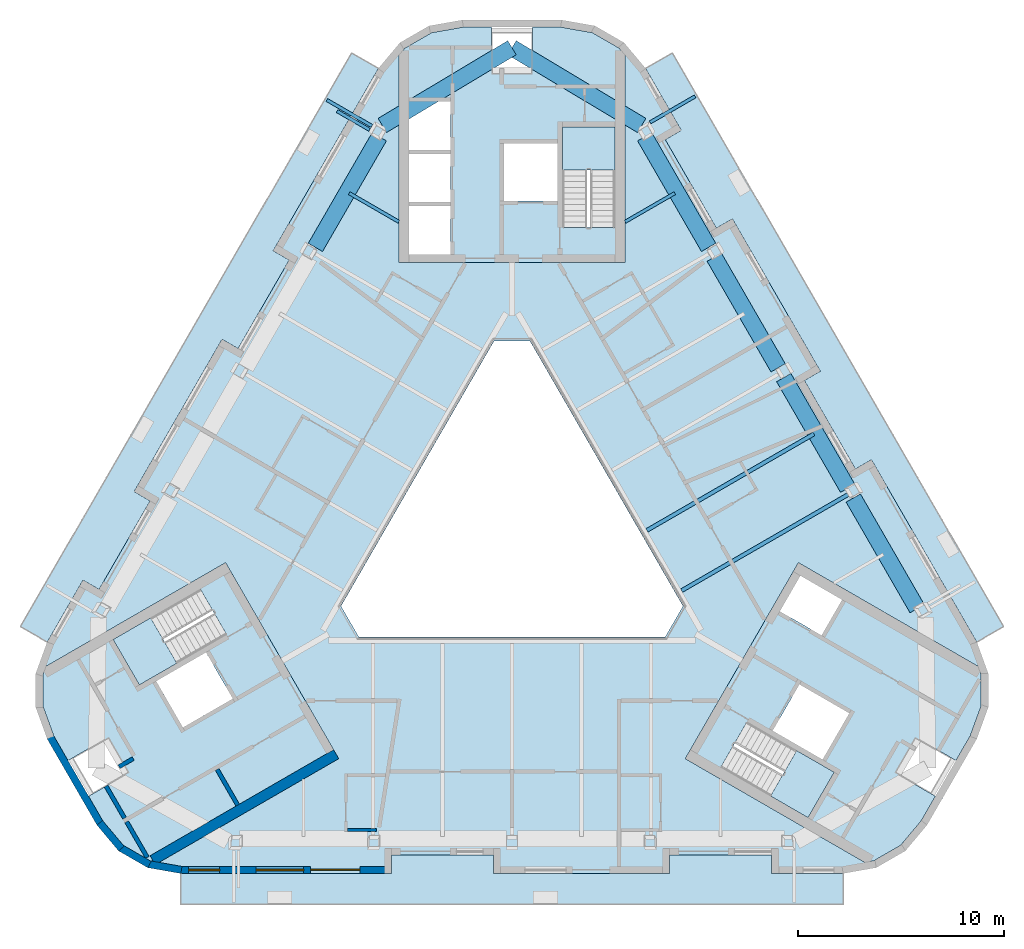
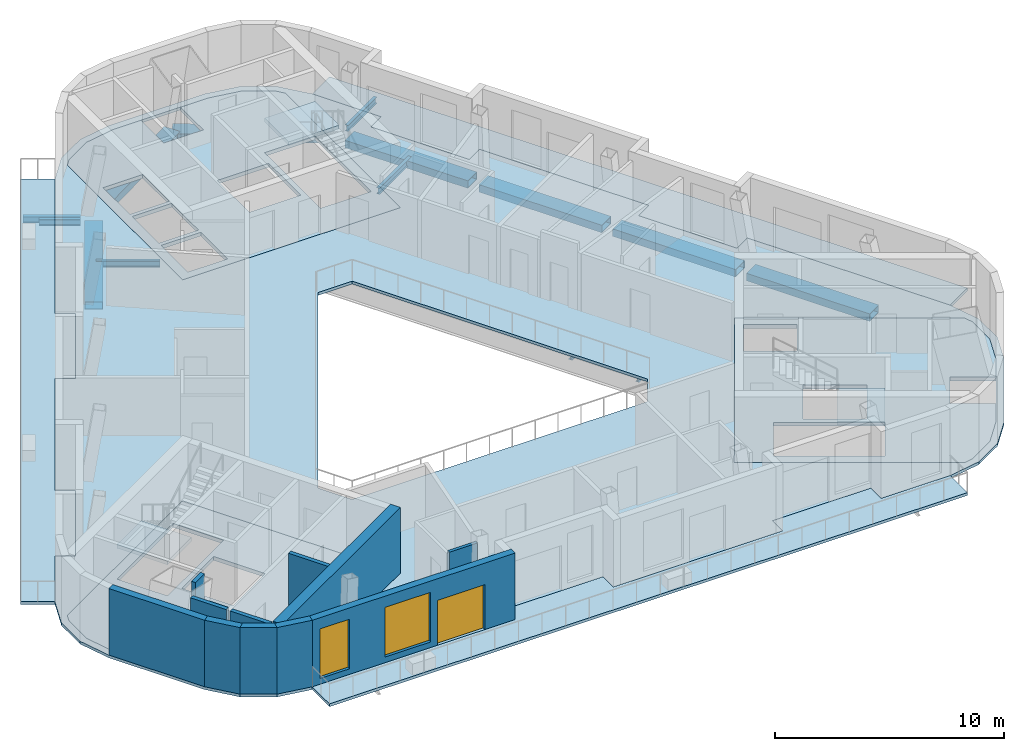
# One storey, part 2 of 11: 14 beams, 11 walls, 10 slabs, 2 windows, 1 door, 3 openings, 3 elements without a shape of their own.
"""IFC4 building model written with IfcOpenShell, lengths in metres."""

from ifc_helpers import new_model, si_unit, direction, frame, frame_2d, origin, origin_2d, place, context, subcontext, project, spatial, polyline, rectangle, hollow_rectangle, i_section, outline, extrude, material, layer, layer_set, material_profile, profile_set, type_object, element, fill, aggregate, save


model = new_model("IFC4")

# Units and contexts
model_context = context("Model", 3, precision=1e-05, world=origin(), true_north=direction((0.0, 1.0)))
body_context = subcontext(model_context, "Body", "Model", "MODEL_VIEW")
ifc_project = project(units=[si_unit("LENGTHUNIT", "METRE"), si_unit("AREAUNIT", "SQUARE_METRE"), si_unit("VOLUMEUNIT", "CUBIC_METRE"), si_unit("PLANEANGLEUNIT", "RADIAN"), si_unit("MASSUNIT", "GRAM", prefix="KILO")], contexts=[model_context])

# Site, building, storey
site_placement = place(None, origin())
site = spatial("IfcSite", under=ifc_project, at=site_placement, CompositionType="ELEMENT")
building_placement = place(site_placement, origin())
building = spatial("IfcBuilding", under=site, at=building_placement, Name="Apuvela Tower Hotel", CompositionType="ELEMENT")
storey_placement = place(building_placement, frame((0.0, 0.0, 309.60009765625)))
storey = spatial("IfcBuildingStorey", under=building, at=storey_placement, Name="L77", CompositionType="ELEMENT", Elevation=309.60009765625)

# Beams
ifc_material_1 = material(Name="Steel S355", Category="steel")
ifc_material_profile_1 = material_profile(ifc_material_1, i_section(OverallWidth=0.159912109375, OverallDepth=0.330078125, WebThickness=0.007568359375, FlangeThickness=0.011474609375, at=origin_2d()), Name="IPE 330")
ifc_profile_set_1 = profile_set([ifc_material_profile_1], Name="Steel S355")
beam_type_1 = type_object("IfcBeamType", Name="ENV-BALCONY-BEAM-IPE330", PredefinedType="BEAM", material=ifc_profile_set_1)
beam_1_placement = place(storey_placement, frame((6.711181640625, 19.714599609375, -0.315185546875), z_axis=(0.86602137294, 0.500006981563, 0.0), x_axis=(-0.500006981563, 0.86602137294, 0.0)))
element("IfcBeam", 1, at=beam_1_placement, inside=storey, type_object=beam_type_1, Name="Balcony cantilever beam NE3 L77", PredefinedType="BEAM", context=body_context, shape_type="SweptSolid", body=[
    extrude(i_section(OverallWidth=0.159912109375, OverallDepth=0.330078125, WebThickness=0.007568359375, FlangeThickness=0.011474609375, at=origin_2d()), origin(), (0.0, 0.0, 1.0), 2.525390625),
])
beam_2_placement = place(storey_placement, frame((-6.811279296875, 19.54150390625, -0.315185546875), z_axis=(-0.866039067339, 0.499976333282, 0.0), x_axis=(-0.499976333282, -0.866039067339, 0.0)))
element("IfcBeam", 2, at=beam_2_placement, inside=storey, type_object=beam_type_1, Name="Balcony cantilever beam NW1 L77", PredefinedType="BEAM", context=body_context, shape_type="SweptSolid", body=[
    extrude(i_section(OverallWidth=0.159912109375, OverallDepth=0.330078125, WebThickness=0.007568359375, FlangeThickness=0.011474609375, at=origin_2d()), origin(), (0.0, 0.0, 1.0), 2.52490234375),
])
beam_3_placement = place(storey_placement, frame((-6.92138671875, 19.35107421875, -0.315185546875), z_axis=(-0.866036312054, 0.499981105847, 0.0), x_axis=(-0.499981105847, -0.866036312054, 0.0)))
element("IfcBeam", 3, at=beam_3_placement, inside=storey, type_object=beam_type_1, Name="Balcony cantilever beam NW2 L77", PredefinedType="BEAM", context=body_context, shape_type="SweptSolid", body=[
    extrude(i_section(OverallWidth=0.159912109375, OverallDepth=0.330078125, WebThickness=0.007568359375, FlangeThickness=0.011474609375, at=origin_2d()), origin(), (0.0, 0.0, 1.0), 1.82470703125),
])
ifc_material_profile_2 = material_profile(ifc_material_1, i_section(OverallWidth=0.159912109375, OverallDepth=0.330078125, WebThickness=0.007568359375, FlangeThickness=0.011474609375, at=origin_2d()), Name="IPE 330")
ifc_profile_set_2 = profile_set([ifc_material_profile_2], Name="Steel S355")
beam_type_2 = type_object("IfcBeamType", Name="STR-B floor beam IPE 330", PredefinedType="BEAM", material=ifc_profile_set_2)
for number, where, z_axis, x_axis, name in (
    (4, (7.91650390625, 16.27734375, -0.315185546875), (-0.86601074026, -0.500025397109, 0.0), (0.500025397109, -0.86601074026, 0.0), "Floor beam B1 NE8"),
    (5, (-7.91650390625, 16.27734375, -0.315185546875), (0.86601074026, -0.500025397109, 0.0), (0.500025397109, 0.86601074026, 0.0), "Floor beam B1 NW2"),
):
    element("IfcBeam", number, at=place(storey_placement, frame(where, z_axis=z_axis, x_axis=x_axis)), inside=storey, type_object=beam_type_2, Name=name, PredefinedType="BEAM", context=body_context, shape_type="SweptSolid", body=[
        extrude(i_section(OverallWidth=0.159912109375, OverallDepth=0.330078125, WebThickness=0.007568359375, FlangeThickness=0.011474609375, at=origin_2d()), origin(), (0.0, 0.0, 1.0), 2.790283203125),
    ])
ifc_material_profile_3 = material_profile(ifc_material_1, i_section(OverallWidth=0.18994140625, OverallDepth=0.449951171875, WebThickness=0.009521484375, FlangeThickness=0.0146484375, at=origin_2d()), Name="IPE 450")
ifc_profile_set_3 = profile_set([ifc_material_profile_3], Name="Steel S355")
beam_type_3 = type_object("IfcBeamType", Name="STR-B floor beam IPE 450", PredefinedType="BEAM", material=ifc_profile_set_3)
beam_4_placement = place(storey_placement, frame((16.473388671875, 1.706298828125, -0.375), z_axis=(-0.866025092416, -0.500000539305, 0.0), x_axis=(0.500000539305, -0.866025092416, 0.0)))
element("IfcBeam", 6, at=beam_4_placement, inside=storey, type_object=beam_type_3, Name="Floor beam B9 NE3", PredefinedType="BEAM", context=body_context, shape_type="SweptSolid", body=[
    extrude(i_section(OverallWidth=0.18994140625, OverallDepth=0.449951171875, WebThickness=0.009521484375, FlangeThickness=0.0146484375, at=origin_2d()), origin(), (0.0, 0.0, 1.0), 9.49951171875),
])
beam_5_placement = place(storey_placement, frame((14.67529296875, 4.570556640625, -0.375), z_axis=(-0.866021214318, -0.500007256298, 0.0), x_axis=(0.500007256298, -0.866021214318, 0.0)))
element("IfcBeam", 7, at=beam_5_placement, inside=storey, type_object=beam_type_3, Name="Floor beam B9 NE4", PredefinedType="BEAM", context=body_context, shape_type="SweptSolid", body=[
    extrude(i_section(OverallWidth=0.18994140625, OverallDepth=0.449951171875, WebThickness=0.009521484375, FlangeThickness=0.0146484375, at=origin_2d()), origin(), (0.0, 0.0, 1.0), 9.374267578125),
])
ifc_material_2 = material(Name="Steel S460", Category="steel")
ifc_material_profile_4 = material_profile(ifc_material_2, hollow_rectangle(XDim=0.800048828125, YDim=0.39990234375, WallThickness=0.02490234375, at=origin_2d()), Name="BOX 800x400x25")
ifc_profile_set_4 = profile_set([ifc_material_profile_4], Name="Steel S460")
beam_type_4 = type_object("IfcBeamType", Name="STR-RB perimeter ring beam BOX 800x400x25", PredefinedType="SPANDREL", material=ifc_profile_set_4)
beam_6_placement = place(storey_placement, frame((19.693603515625, -3.92138671875, -0.400146484375), z_axis=(-0.499995880841, 0.866027781969, 0.0), x_axis=(-0.866027781969, -0.499995880841, 0.0)))
element("IfcBeam", 8, at=beam_6_placement, inside=storey, type_object=beam_type_4, Name="Ring beam RB1 NE1", PredefinedType="SPANDREL", context=body_context, shape_type="SweptSolid", body=[
    extrude(hollow_rectangle(XDim=0.800048828125, YDim=0.39990234375, WallThickness=0.02490234375, at=origin_2d()), origin(), (0.0, 0.0, 1.0), 6.208984375),
])
beam_7_placement = place(storey_placement, frame((16.314208984375, 1.93212890625, -0.400146484375), z_axis=(-0.500012907384, 0.866017951575, 0.0), x_axis=(-0.866017951575, -0.500012907384, 0.0)))
element("IfcBeam", 9, at=beam_7_placement, inside=storey, type_object=beam_type_4, Name="Ring beam RB1 NE2", PredefinedType="SPANDREL", context=body_context, shape_type="SweptSolid", body=[
    extrude(hollow_rectangle(XDim=0.800048828125, YDim=0.39990234375, WallThickness=0.02490234375, at=origin_2d()), origin(), (0.0, 0.0, 1.0), 6.208740234375),
])
beam_8_placement = place(storey_placement, frame((12.934814453125, 7.785400390625, -0.400146484375), z_axis=(-0.499995880841, 0.866027781969, 0.0), x_axis=(-0.866027781969, -0.499995880841, 0.0)))
element("IfcBeam", 10, at=beam_8_placement, inside=storey, type_object=beam_type_4, Name="Ring beam RB1 NE3", PredefinedType="SPANDREL", context=body_context, shape_type="SweptSolid", body=[
    extrude(hollow_rectangle(XDim=0.800048828125, YDim=0.39990234375, WallThickness=0.02490234375, at=origin_2d()), origin(), (0.0, 0.0, 1.0), 6.208984375),
])
for number, where, z_axis, x_axis, name in (
    (11, (9.555419921875, 13.638916015625, -0.400146484375), (-0.500012907384, 0.866017951575, 0.0), (-0.866017951575, -0.500012907384, 0.0), "Ring beam RB1 NE4"),
    (12, (-6.450927734375, 19.015869140625, -0.400146484375), (-0.500012907384, -0.866017951575, 0.0), (0.866017951575, -0.500012907384, 0.0), "Ring beam RB1 NW1"),
):
    element("IfcBeam", number, at=place(storey_placement, frame(where, z_axis=z_axis, x_axis=x_axis)), inside=storey, type_object=beam_type_4, Name=name, PredefinedType="SPANDREL", context=body_context, shape_type="SweptSolid", body=[
        extrude(hollow_rectangle(XDim=0.800048828125, YDim=0.39990234375, WallThickness=0.02490234375, at=origin_2d()), origin(), (0.0, 0.0, 1.0), 6.208740234375),
    ])
for number, where, z_axis, x_axis, name in (
    (13, (6.30322265625, 19.565673828125, -0.400146484375), (-0.857870902617, 0.513865268765, 0.0), (-0.513865268765, -0.857870902617, 0.0), "Ring beam RB1 NE5-N"),
    (14, (-6.30322265625, 19.565673828125, -0.400146484375), (0.857870902617, 0.513865268765, 0.0), (-0.513865268765, 0.857870902617, 0.0), "Ring beam RB1 NW1-N"),
):
    element("IfcBeam", number, at=place(storey_placement, frame(where, z_axis=z_axis, x_axis=x_axis)), inside=storey, type_object=beam_type_4, Name=name, PredefinedType="SPANDREL", context=body_context, shape_type="SweptSolid", body=[
        extrude(hollow_rectangle(XDim=0.800048828125, YDim=0.39990234375, WallThickness=0.02490234375, at=origin_2d()), origin(), (0.0, 0.0, 1.0), 7.347412109375),
    ])

# Slabs
ifc_material_3 = material(Name="Concrete C50/60", Category="concrete")
ifc_layer_1 = layer(ifc_material_3, 0.199951171875)
ifc_layer_set_1 = layer_set([ifc_layer_1], Name="COR-FLOOR-200")
slab_type_1 = type_object("IfcSlabType", Name="COR-FLOOR-200", PredefinedType="FLOOR", material=ifc_layer_set_1)
slab_1_placement = place(storey_placement, frame((0.0, 0.0, -0.2001953125)))
element("IfcSlab", 15, at=slab_1_placement, inside=storey, type_object=slab_type_1, Name="Core floor N", PredefinedType="FLOOR", context=body_context, shape_type="SweptSolid", body=[
    extrude(outline(polyline([(5.5, 22.98046875), (5.216552734375, 23.318115234375), (3.908203125, 24.073486328125), (2.389892578125, 24.34130859375), (1.0, 24.34130859375), (1.0, 22.34130859375), (-1.0, 22.34130859375), (-1.0, 24.34130859375), (-2.389892578125, 24.34130859375), (-3.908203125, 24.073486328125), (-5.216552734375, 23.318115234375), (-5.5, 22.98046875), (-5.5, 12.89990234375), (5.5, 12.89990234375), (5.5, 22.98046875)]), holes=[polyline([(-3.0, 13.300048828125), (-5.0, 13.300048828125), (-5.0, 15.639892578125), (-3.0, 15.639892578125), (-3.0, 13.300048828125)]), polyline([(-3.0, 15.840087890625), (-5.0, 15.840087890625), (-5.0, 18.179931640625), (-3.0, 18.179931640625), (-3.0, 15.840087890625)]), polyline([(5.0, 14.60595703125), (2.449951171875, 14.60595703125), (2.449951171875, 19.5), (5.0, 19.5), (5.0, 14.60595703125)]), polyline([(2.199951171875, 18.699951171875), (2.199951171875, 15.89990234375), (-0.39990234375, 15.89990234375), (-0.39990234375, 18.699951171875), (2.199951171875, 18.699951171875)]), polyline([(-3.0, 20.719970703125), (-3.0, 18.3798828125), (-5.0, 18.3798828125), (-5.0, 20.719970703125), (-3.0, 20.719970703125)])]), origin(), (0.0, 0.0, 1.0), 0.2001953125),
])
slab_2_placement = place(storey_placement, frame((0.0, 0.0, -0.2001953125)))
element("IfcSlab", 16, at=slab_2_placement, inside=storey, type_object=slab_type_1, Name="Core floor SW", PredefinedType="FLOOR", context=body_context, shape_type="SweptSolid", body=[
    extrude(outline(polyline([(-22.651611328125, -6.72705078125), (-22.802490234375, -7.141357421875), (-22.802490234375, -8.652099609375), (-22.275146484375, -10.10107421875), (-21.580078125, -11.3046875), (-19.84814453125, -10.3046875), (-18.84814453125, -12.03662109375), (-20.580078125, -13.03662109375), (-19.88525390625, -14.240234375), (-18.894287109375, -15.42138671875), (-17.585693359375, -16.1767578125), (-17.151611328125, -16.25341796875), (-8.421630859375, -11.213134765625), (-13.921630859375, -1.68701171875), (-22.651611328125, -6.72705078125)]), holes=[polyline([(-13.874267578125, -5.18115234375), (-18.112548828125, -7.628173828125), (-19.387451171875, -5.419921875), (-15.149169921875, -2.972900390625), (-13.874267578125, -5.18115234375)]), polyline([(-13.56982421875, -8.29638671875), (-15.99462890625, -9.6962890625), (-17.294677734375, -7.444580078125), (-14.869873046875, -6.044677734375), (-13.56982421875, -8.29638671875)])]), origin(), (0.0, 0.0, 1.0), 0.2001953125),
])
slab_3_placement = place(storey_placement, frame((0.0, 0.0, -0.2001953125)))
element("IfcSlab", 17, at=slab_3_placement, inside=storey, type_object=slab_type_1, Name="Core floor SE", PredefinedType="FLOOR", context=body_context, shape_type="SweptSolid", body=[
    extrude(outline(polyline([(17.151611328125, -16.25341796875), (17.585693359375, -16.1767578125), (18.894287109375, -15.42138671875), (19.88525390625, -14.240234375), (20.580078125, -13.03662109375), (18.84814453125, -12.03662109375), (19.84814453125, -10.3046875), (21.580078125, -11.3046875), (22.275146484375, -10.10107421875), (22.802490234375, -8.652099609375), (22.802490234375, -7.141357421875), (22.651611328125, -6.72705078125), (13.921630859375, -1.68701171875), (8.421630859375, -11.213134765625), (17.151611328125, -16.25341796875)]), holes=[polyline([(14.01806640625, -2.31982421875), (16.044677734375, -3.489990234375), (15.044677734375, -5.221923828125), (13.01806640625, -4.052001953125), (14.01806640625, -2.31982421875)]), polyline([(10.149169921875, -11.633056640625), (11.42431640625, -9.4248046875), (15.66259765625, -11.871826171875), (14.387451171875, -14.080078125), (10.149169921875, -11.633056640625)]), polyline([(12.669921875, -9.855224609375), (13.9697265625, -7.603515625), (16.394775390625, -9.003662109375), (15.0947265625, -11.25537109375), (12.669921875, -9.855224609375)])]), origin(), (0.0, 0.0, 1.0), 0.2001953125),
])

# Stair, slab
stair_type = type_object("IfcStairType", Name="COR-STAIR-22R", PredefinedType="HALF_TURN_STAIR", material=ifc_material_3)
stair_1_placement = place(storey_placement, origin())
stair_1 = element("IfcStair", 18, at=stair_1_placement, inside=storey, type_object=stair_type, Name="L77 Exit stair ST1", PredefinedType="HALF_TURN_STAIR")
ifc_layer_2 = layer(ifc_material_3, 0.199951171875)
ifc_layer_set_2 = layer_set([ifc_layer_2], Name="COR-LANDING-200")
slab_type_2 = type_object("IfcSlabType", Name="COR-LANDING-200", PredefinedType="LANDING", material=ifc_layer_set_2)
slab_4_placement = place(storey_placement, frame((0.0, 0.0, 1.64990234375)))
slab_4 = element("IfcSlab", 19, at=slab_4_placement, type_object=slab_type_2, Name="ST1 landing 1", PredefinedType="LANDING", context=body_context, shape_type="SweptSolid", body=[
    extrude(outline(polyline([(5.0, 17.39404296875), (5.0, 19.5), (2.449951171875, 19.5), (2.449951171875, 17.39404296875), (5.0, 17.39404296875)])), origin(), (0.0, 0.0, 1.0), 0.199951171875),
])
aggregate(stair_1, [slab_4])

stair_2_placement = place(storey_placement, origin())
stair_2 = element("IfcStair", 20, at=stair_2_placement, inside=storey, type_object=stair_type, Name="L77 Exit stair ST2", PredefinedType="HALF_TURN_STAIR")
slab_5_placement = place(storey_placement, frame((0.0, 0.0, 1.64990234375)))
slab_5 = element("IfcSlab", 21, at=slab_5_placement, type_object=slab_type_2, Name="ST2 landing 1", PredefinedType="LANDING", context=body_context, shape_type="SweptSolid", body=[
    extrude(outline(polyline([(-17.563720703125, -4.366943359375), (-19.387451171875, -5.419921875), (-18.112548828125, -7.628173828125), (-16.28857421875, -6.5751953125), (-17.563720703125, -4.366943359375)])), origin(), (0.0, 0.0, 1.0), 0.199951171875),
])
aggregate(stair_2, [slab_5])

stair_3_placement = place(storey_placement, origin())
stair_3 = element("IfcStair", 22, at=stair_3_placement, inside=storey, type_object=stair_type, Name="L77 Exit stair ST3", PredefinedType="HALF_TURN_STAIR")
slab_6_placement = place(storey_placement, frame((0.0, 0.0, 1.64990234375)))
slab_6 = element("IfcSlab", 23, at=slab_6_placement, type_object=slab_type_2, Name="ST3 landing 1", PredefinedType="LANDING", context=body_context, shape_type="SweptSolid", body=[
    extrude(outline(polyline([(12.563720703125, -13.027099609375), (14.387451171875, -14.080078125), (15.66259765625, -11.871826171875), (13.838623046875, -10.81884765625), (12.563720703125, -13.027099609375)])), origin(), (0.0, 0.0, 1.0), 0.199951171875),
])
aggregate(stair_3, [slab_6])

# Slabs
ifc_material_4 = material(Name="Concrete C40/50, fair-faced", Category="concrete")
ifc_layer_3 = layer(ifc_material_4, 0.14990234375)
ifc_layer_set_3 = layer_set([ifc_layer_3], Name="ENV-BALCONY-150")
slab_type_3 = type_object("IfcSlabType", Name="ENV-BALCONY-150", PredefinedType="FLOOR", material=ifc_layer_set_3)
slab_7_placement = place(storey_placement, frame((0.0, 0.0, -0.150146484375)))
element("IfcSlab", 24, at=slab_7_placement, inside=storey, type_object=slab_type_3, Name="Balcony slab S L77", PredefinedType="FLOOR", context=body_context, shape_type="SweptSolid", body=[
    extrude(outline(polyline([(16.10302734375, -18.299560546875), (-16.10302734375, -18.299560546875), (-16.10302734375, -16.78955078125), (-5.864013671875, -16.78955078125), (-5.864013671875, -15.8896484375), (-0.89501953125, -15.8896484375), (-0.89501953125, -16.78955078125), (7.65380859375, -16.78955078125), (7.65380859375, -15.8896484375), (12.622802734375, -15.8896484375), (12.622802734375, -16.78955078125), (16.10302734375, -16.78955078125), (16.10302734375, -18.299560546875)])), origin(), (0.0, 0.0, 1.0), 0.150146484375),
])
slab_8_placement = place(storey_placement, frame((0.0, 0.0, -0.150146484375)))
element("IfcSlab", 25, at=slab_8_placement, inside=storey, type_object=slab_type_3, Name="Balcony slab NE L77", PredefinedType="FLOOR", context=body_context, shape_type="SweptSolid", body=[
    extrude(outline(polyline([(14.98779296875, 7.61962890625), (10.713134765625, 15.023193359375), (9.933837890625, 14.5732421875), (7.449462890625, 18.87646484375), (8.228759765625, 19.326416015625), (6.48876953125, 22.34033203125), (7.79638671875, 23.095458984375), (23.8994140625, -4.7958984375), (22.591796875, -5.55078125), (17.47216796875, 3.31640625), (16.692626953125, 2.866455078125), (14.208251953125, 7.169677734375), (14.98779296875, 7.61962890625)])), origin(), (0.0, 0.0, 1.0), 0.150146484375),
])
slab_9_placement = place(storey_placement, frame((0.0, 0.0, -0.150146484375)))
element("IfcSlab", 26, at=slab_9_placement, inside=storey, type_object=slab_type_3, Name="Balcony slab NW L77", PredefinedType="FLOOR", context=body_context, shape_type="SweptSolid", body=[
    extrude(outline(polyline([(-23.8994140625, -4.7958984375), (-7.79638671875, 23.095458984375), (-6.48876953125, 22.34033203125), (-11.608154296875, 13.47314453125), (-10.828857421875, 13.023193359375), (-13.313232421875, 8.719970703125), (-14.0927734375, 9.169921875), (-18.3671875, 1.766357421875), (-17.587646484375, 1.31640625), (-20.072265625, -2.98681640625), (-20.8515625, -2.536865234375), (-22.591796875, -5.55078125), (-23.8994140625, -4.7958984375)])), origin(), (0.0, 0.0, 1.0), 0.150146484375),
])
ifc_material_5 = material(Name="Concrete C35/45", Category="concrete")
ifc_layer_4 = layer(ifc_material_5, 0.14990234375)
ifc_layer_set_4 = layer_set([ifc_layer_4], Name="STR-SLAB 150 floor Concrete C35/45")
slab_type_4 = type_object("IfcSlabType", Name="STR-SLAB 150 floor Concrete C35/45", PredefinedType="FLOOR", material=ifc_layer_set_4)
slab_10_placement = place(storey_placement, frame((0.0, 0.0, -0.150146484375)))
element("IfcSlab", 27, at=slab_10_placement, inside=storey, type_object=slab_type_4, Name="Floor slab S4 L77", PredefinedType="FLOOR", context=body_context, shape_type="SweptSolid", body=[
    extrude(outline(polyline([(-5.445068359375, 23.59033203125), (-4.02978515625, 24.40771484375), (-2.42041015625, 24.69140625), (2.42041015625, 24.69140625), (4.02978515625, 24.40771484375), (5.445068359375, 23.59033203125), (6.49560546875, 22.338623046875), (8.235595703125, 19.32470703125), (7.456298828125, 18.87451171875), (9.935546875, 14.580078125), (10.715087890625, 15.030029296875), (14.994384765625, 7.617919921875), (14.215087890625, 7.16796875), (16.694580078125, 2.873291015625), (17.47412109375, 3.3232421875), (22.593505859375, -5.5439453125), (23.15234375, -7.07958984375), (23.15234375, -8.7138671875), (22.593505859375, -10.24951171875), (20.173095703125, -14.44189453125), (19.122802734375, -15.693603515625), (17.70751953125, -16.5107421875), (16.097900390625, -16.794677734375), (12.617919921875, -16.794677734375), (12.617919921875, -15.89453125), (7.658935546875, -15.89453125), (7.658935546875, -16.794677734375), (-0.89990234375, -16.794677734375), (-0.89990234375, -15.89453125), (-5.85888671875, -15.89453125), (-5.85888671875, -16.794677734375), (-16.097900390625, -16.794677734375), (-17.70751953125, -16.5107421875), (-19.122802734375, -15.693603515625), (-20.173095703125, -14.44189453125), (-22.593505859375, -10.24951171875), (-23.15234375, -8.7138671875), (-23.15234375, -7.07958984375), (-22.593505859375, -5.5439453125), (-20.853515625, -2.530029296875), (-20.073974609375, -2.97998046875), (-17.594482421875, 1.314453125), (-18.3740234375, 1.764404296875), (-14.094482421875, 9.1767578125), (-13.315185546875, 8.726806640625), (-10.835693359375, 13.021240234375), (-11.614990234375, 13.47119140625), (-6.49560546875, 22.338623046875), (-5.445068359375, 23.59033203125)]), holes=[polyline([(0.865966796875, 9.10009765625), (-0.865966796875, 9.10009765625), (-8.313720703125, -3.800048828125), (-7.44775390625, -5.300048828125), (7.44775390625, -5.300048828125), (8.313720703125, -3.800048828125), (0.865966796875, 9.10009765625)]), polyline([(-5.5, 12.89990234375), (-5.5, 22.98046875), (-5.216552734375, 23.318115234375), (-3.908203125, 24.073486328125), (-2.389892578125, 24.34130859375), (2.389892578125, 24.34130859375), (3.908203125, 24.073486328125), (5.216552734375, 23.318115234375), (5.5, 22.98046875), (5.5, 12.89990234375), (-5.5, 12.89990234375)]), polyline([(-8.421630859375, -11.213134765625), (-17.151611328125, -16.25341796875), (-17.585693359375, -16.1767578125), (-18.894287109375, -15.42138671875), (-19.88525390625, -14.240234375), (-22.275146484375, -10.10107421875), (-22.802490234375, -8.652099609375), (-22.802490234375, -7.141357421875), (-22.651611328125, -6.72705078125), (-13.921630859375, -1.68701171875), (-8.421630859375, -11.213134765625)]), polyline([(13.921630859375, -1.68701171875), (22.651611328125, -6.72705078125), (22.802490234375, -7.141357421875), (22.802490234375, -8.652099609375), (22.275146484375, -10.10107421875), (19.88525390625, -14.240234375), (18.894287109375, -15.42138671875), (17.585693359375, -16.1767578125), (17.151611328125, -16.25341796875), (8.421630859375, -11.213134765625), (13.921630859375, -1.68701171875)])]), origin(), (0.0, 0.0, 1.0), 0.150146484375),
])

# Walls
ifc_layer_5 = layer(ifc_material_3, 0.5)
ifc_layer_set_5 = layer_set([ifc_layer_5], Name="COR-WALL-CORE-500")
wall_type_1 = type_object("IfcWallType", Name="COR-WALL-CORE-500", PredefinedType="SHEAR", material=ifc_layer_set_5)
wall_1_placement = place(storey_placement, frame((-8.546630859375, -10.99658203125, 0.0), z_axis=(0.0, 0.0, 1.0), x_axis=(-0.866027279078, -0.499996751883, 0.0)))
element("IfcWall", 28, at=wall_1_placement, inside=storey, type_object=wall_type_1, Name="Core wall SW", PredefinedType="SHEAR", context=body_context, shape_type="SweptSolid", body=[
    extrude(rectangle(XDim=10.29833984375, YDim=0.5, at=frame_2d((5.149169921875, 0.0))), origin(), (0.0, 0.0, 1.0), 3.5),
])
ifc_layer_6 = layer(ifc_material_3, 0.199951171875)
ifc_layer_set_6 = layer_set([ifc_layer_6], Name="COR-WALL-SHAFT-200")
wall_type_2 = type_object("IfcWallType", Name="COR-WALL-SHAFT-200", PredefinedType="SHEAR", material=ifc_layer_set_6)
wall_2_placement = place(storey_placement, frame((-19.73046875, -12.5458984375, 0.0), z_axis=(0.0, 0.0, 1.0), x_axis=(0.500004188491, -0.866022985545, 0.0)))
element("IfcWall", 29, at=wall_2_placement, inside=storey, type_object=wall_type_2, Name="Shaft wall SW", PredefinedType="SHEAR", context=body_context, shape_type="SweptSolid", body=[
    extrude(rectangle(XDim=1.80029296875, YDim=0.199951171875, at=frame_2d((0.900146484375, 0.0))), origin(), (0.0, 0.0, 1.0), 3.5),
])
wall_3_placement = place(storey_placement, frame((-18.412841796875, -11.2080078125, 0.0), z_axis=(0.0, 0.0, 1.0), x_axis=(-0.86597493103, -0.500087411186, 0.0)))
element("IfcWall", 30, at=wall_3_placement, inside=storey, type_object=wall_type_2, Name="Shaft wall SW", PredefinedType="SHEAR", context=body_context, shape_type="SweptSolid", body=[
    extrude(rectangle(XDim=0.791259765625, YDim=0.199951171875, at=frame_2d((0.3955078125, 0.0))), origin(), (0.0, 0.0, 1.0), 3.5),
])
for number, where, z_axis, x_axis, name in (
    (31, (-14.330810546875, -11.738037109375, 0.0), (0.0, 0.0, 1.0), (0.499972520799, -0.866041268327, 0.0), "Shaft wall SW"),
    (32, (-18.73046875, -14.278076171875, 0.0), (0.0, 0.0, 1.0), (0.50002537861, -0.866010750942, 0.0), "Shaft wall SW"),
):
    element("IfcWall", number, at=place(storey_placement, frame(where, z_axis=z_axis, x_axis=x_axis)), inside=storey, type_object=wall_type_2, Name=name, PredefinedType="SHEAR", context=body_context, shape_type="SweptSolid", body=[
        extrude(rectangle(XDim=2.0, YDim=0.199951171875, at=frame_2d((1.0, 0.0))), origin(), (0.0, 0.0, 1.0), 3.5),
    ])
ifc_material_6 = material(Name="Concrete C40/50, dark pigmented precast panel", Category="concrete")
ifc_layer_7 = layer(ifc_material_6, 0.35009765625)
ifc_layer_set_7 = layer_set([ifc_layer_7], Name="ENV-WALL-350")
wall_type_3 = type_object("IfcWallType", Name="ENV-WALL-350", PredefinedType="SOLIDWALL", material=ifc_layer_set_7)
wall_4_placement = place(storey_placement, frame((-22.44189453125, -10.162109375, 0.0), z_axis=(0.0, 0.0, 1.0), x_axis=(0.500012048649, -0.866018447382, 0.0)))
element("IfcWall", 33, at=wall_4_placement, inside=storey, type_object=wall_type_3, Name="External wall L77-13", PredefinedType="SOLIDWALL", context=body_context, shape_type="SweptSolid", body=[
    extrude(rectangle(XDim=4.8408203125, YDim=0.35009765625, at=frame_2d((2.42041015625, 0.0))), origin(), (0.0, 0.0, 1.0), 3.5498046875),
])
wall_5_placement = place(storey_placement, frame((-20.0390625, -14.329345703125, 0.0), z_axis=(0.0, 0.0, 1.0), x_axis=(0.642708448155, -0.766110860562, 0.0)))
element("IfcWall", 34, at=wall_5_placement, inside=storey, type_object=wall_type_3, Name="External wall L77-14", PredefinedType="SOLIDWALL", context=body_context, shape_type="SweptSolid", body=[
    extrude(rectangle(XDim=1.63427734375, YDim=0.35009765625, at=frame_2d((0.817138671875, 0.0))), origin(), (0.0, 0.0, 1.0), 3.5498046875),
])
wall_6_placement = place(storey_placement, frame((-19.03515625, -15.542236328125, 0.0), z_axis=(0.0, 0.0, 1.0), x_axis=(0.866083589932, -0.499899205091, 0.0)))
element("IfcWall", 35, at=wall_6_placement, inside=storey, type_object=wall_type_3, Name="External wall L77-15", PredefinedType="SOLIDWALL", context=body_context, shape_type="SweptSolid", body=[
    extrude(rectangle(XDim=1.634033203125, YDim=0.35009765625, at=frame_2d((0.81689453125, 0.0))), origin(), (0.0, 0.0, 1.0), 3.5498046875),
])
wall_7_placement = place(storey_placement, frame((-17.677001953125, -16.33837890625, 0.0), z_axis=(0.0, 0.0, 1.0), x_axis=(0.98479107762, -0.173742721977, 0.0)))
element("IfcWall", 36, at=wall_7_placement, inside=storey, type_object=wall_type_3, Name="External wall L77-16", PredefinedType="SOLIDWALL", context=body_context, shape_type="SweptSolid", body=[
    extrude(rectangle(XDim=1.63427734375, YDim=0.35009765625, at=frame_2d((0.817138671875, 0.0))), origin(), (0.0, 0.0, 1.0), 3.5498046875),
])

# Wall, openings, door, windows
wall_8_placement = place(storey_placement, frame((-16.097900390625, -16.61962890625, 0.0), z_axis=(0.0, 0.0, 1.0), x_axis=(1.0, 0.0, 0.0)))
wall_8 = element("IfcWall", 37, at=wall_8_placement, inside=storey, type_object=wall_type_3, Name="External wall L77-17", PredefinedType="SOLIDWALL", context=body_context, shape_type="SweptSolid", body=[
    extrude(rectangle(XDim=10.239013671875, YDim=0.35009765625, at=frame_2d((5.11962890625, 0.0))), origin(), (0.0, 0.0, 1.0), 3.5498046875),
])
opening_1_placement = place(wall_8_placement, frame((0.380615234375, 0.0, 0.300048828125)))
opening_1 = element("IfcOpeningElement", 38, at=opening_1_placement, cuts=wall_8, Name="Opening WN15", PredefinedType="OPENING", context=body_context, shape_type="SweptSolid", body=[
    extrude(rectangle(XDim=1.5, YDim=2.64990234375, at=frame_2d((0.75, 1.324951171875))), frame((0.0, 0.18505859375, 0.0), z_axis=(0.0, -1.0, 0.0), x_axis=(1.0, 0.0, 0.0)), (0.0, 0.0, 1.0), 0.3701171875),
])
opening_2_placement = place(wall_8_placement, frame((6.309814453125, 0.0, 0.0)))
opening_2 = element("IfcOpeningElement", 39, at=opening_2_placement, cuts=wall_8, Name="Opening BD24", PredefinedType="OPENING", context=body_context, shape_type="SweptSolid", body=[
    extrude(rectangle(XDim=2.39990234375, YDim=2.39990234375, at=frame_2d((1.199951171875, 1.199951171875))), frame((0.0, 0.18505859375, 0.0), z_axis=(0.0, -1.0, 0.0), x_axis=(1.0, 0.0, 0.0)), (0.0, 0.0, 1.0), 0.3701171875),
])
opening_3_placement = place(wall_8_placement, frame((3.666748046875, 0.0, 0.300048828125)))
opening_3 = element("IfcOpeningElement", 40, at=opening_3_placement, cuts=wall_8, Name="Opening WN23", PredefinedType="OPENING", context=body_context, shape_type="SweptSolid", body=[
    extrude(rectangle(XDim=2.300048828125, YDim=2.64990234375, at=frame_2d((1.14990234375, 1.324951171875))), frame((0.0, 0.18505859375, 0.0), z_axis=(0.0, -1.0, 0.0), x_axis=(1.0, 0.0, 0.0)), (0.0, 0.0, 1.0), 0.3701171875),
])
ifc_material_7 = material(Name="Aluminium 6063-T6, dark bronze anodised frame with dark tinted laminated glass", Category="aluminium")
door_type = type_object("IfcDoorType", Name="ENV-DOOR-BALCONY-2400x2400", OperationType="SLIDING_TO_LEFT", PredefinedType="DOOR", material=ifc_material_7)
door_placement = place(opening_2_placement, frame((2.39990234375, 0.0, 0.0), z_axis=(0.0, 0.0, 1.0), x_axis=(-1.0, 0.0, 0.0)))
door = element("IfcDoor", 41, at=door_placement, inside=storey, type_object=door_type, Name="Balcony door BD24", OperationType="SLIDING_TO_LEFT", OverallHeight=2.39990234375, OverallWidth=2.39990234375, PredefinedType="DOOR", context=body_context, shape_type="SweptSolid", body=[
    extrude(rectangle(XDim=2.39990234375, YDim=2.39990234375, at=frame_2d((1.199951171875, 1.199951171875))), frame((0.0, 0.02490234375, 0.0), z_axis=(0.0, -1.0, 0.0), x_axis=(1.0, 0.0, 0.0)), (0.0, 0.0, 1.0), 0.050048828125),
])
fill(opening_2, door)
ifc_material_8 = material(Name="Glass, dark tinted laminated insulated glazing unit", Category="glass")
window_type_1 = type_object("IfcWindowType", Name="ENV-WIN-1500x2650", PartitioningType="SINGLE_PANEL", PredefinedType="WINDOW", material=ifc_material_8)
window_1_placement = place(opening_1_placement, origin())
window_1 = element("IfcWindow", 42, at=window_1_placement, inside=storey, type_object=window_type_1, Name="Window WN15", OverallHeight=2.64990234375, OverallWidth=1.5, PartitioningType="SINGLE_PANEL", PredefinedType="WINDOW", context=body_context, shape_type="SweptSolid", body=[
    extrude(rectangle(XDim=1.5, YDim=2.64990234375, at=frame_2d((0.75, 1.324951171875))), frame((0.0, 0.030029296875, 0.0), z_axis=(0.0, -1.0, 0.0), x_axis=(1.0, 0.0, 0.0)), (0.0, 0.0, 1.0), 0.06005859375),
])
fill(opening_1, window_1)
window_type_2 = type_object("IfcWindowType", Name="ENV-WIN-2300x2650", PartitioningType="SINGLE_PANEL", PredefinedType="WINDOW", material=ifc_material_8)
window_2_placement = place(opening_3_placement, origin())
window_2 = element("IfcWindow", 43, at=window_2_placement, inside=storey, type_object=window_type_2, Name="Window WN23", OverallHeight=2.64990234375, OverallWidth=2.300048828125, PartitioningType="SINGLE_PANEL", PredefinedType="WINDOW", context=body_context, shape_type="SweptSolid", body=[
    extrude(rectangle(XDim=2.300048828125, YDim=2.64990234375, at=frame_2d((1.14990234375, 1.324951171875))), frame((0.0, 0.030029296875, 0.0), z_axis=(0.0, -1.0, 0.0), x_axis=(1.0, 0.0, 0.0)), (0.0, 0.0, 1.0), 0.06005859375),
])
fill(opening_3, window_2)

# Wall
ifc_material_9 = material(Name="Moisture-resistant gypsum board wet wall on steel stud", Category="steel")
ifc_layer_8 = layer(ifc_material_9, 0.14990234375)
ifc_layer_set_8 = layer_set([ifc_layer_8], Name="GST-PW3")
wall_type_4 = type_object("IfcWallType", Name="GST-PW3", PredefinedType="PARTITIONING", material=ifc_layer_set_8)
wall_9_placement = place(storey_placement, frame((-7.9970703125, -14.669677734375, 0.0), z_axis=(0.0, 0.0, 1.0), x_axis=(1.0, 0.0, 0.0)))
element("IfcWall", 44, at=wall_9_placement, inside=storey, type_object=wall_type_4, Name="L77 partition 11", PredefinedType="PARTITIONING", context=body_context, shape_type="SweptSolid", body=[
    extrude(rectangle(XDim=1.418212890625, YDim=0.14990234375, at=frame_2d((0.708984375, 0.0))), origin(), (0.0, 0.0, 1.0), 3.099853515625),
])

save(model, "model.ifc")
